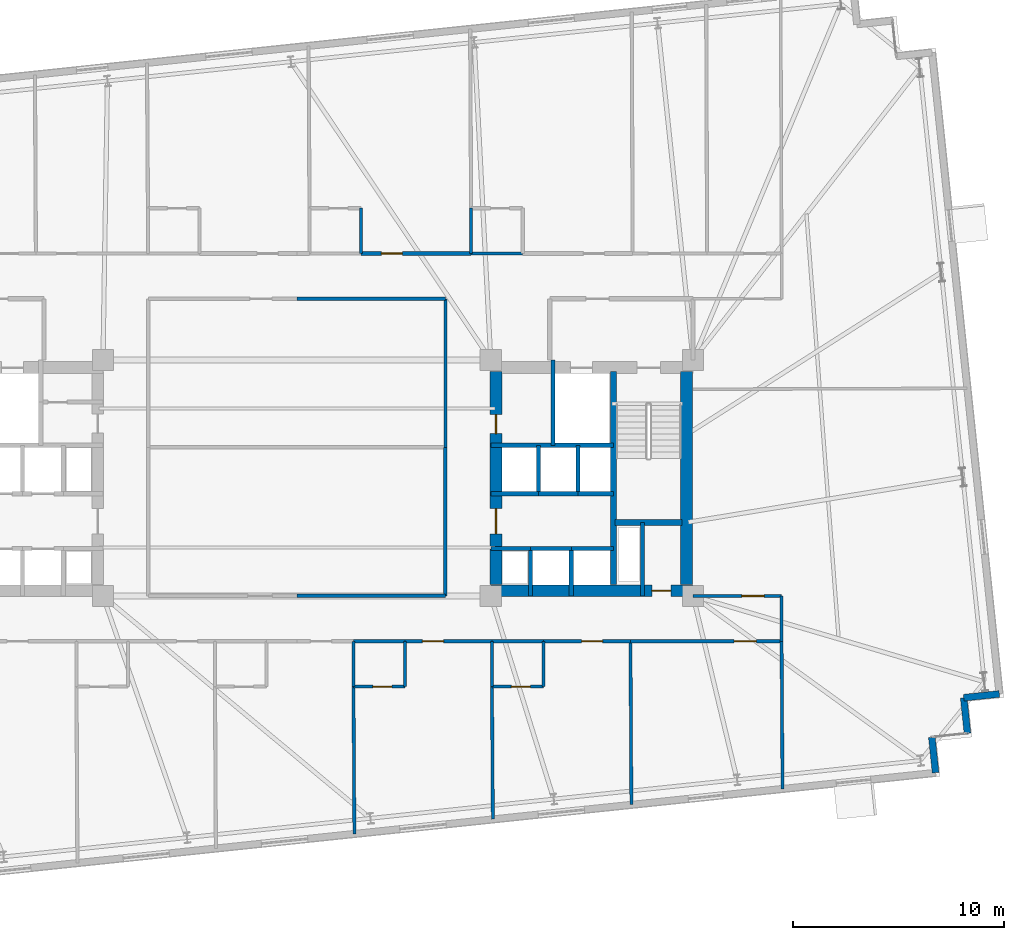
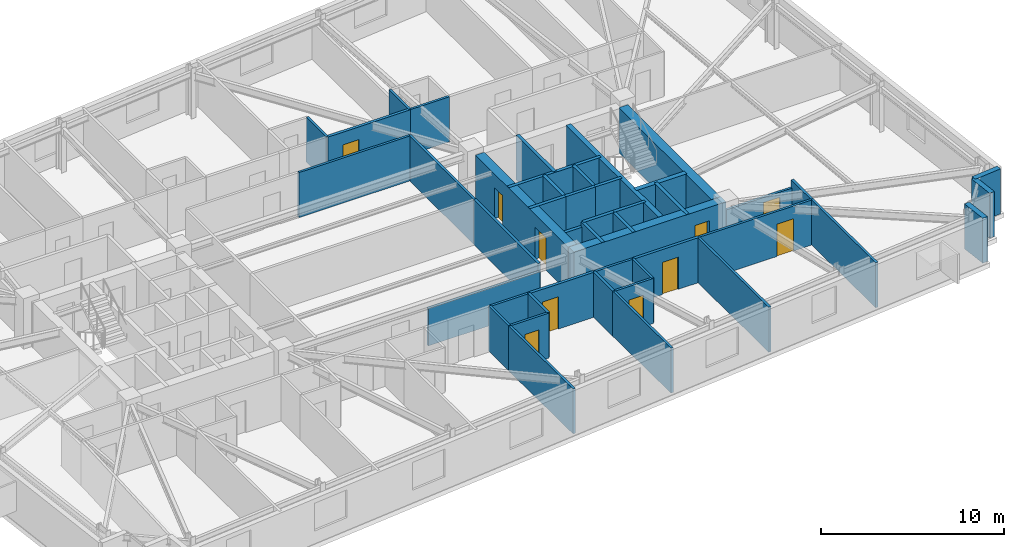
# One storey, part 14 of 19: 46 walls, 10 doors, 10 openings.
"""IFC4 building model written with IfcOpenShell, lengths in metres."""

from ifc_helpers import new_model, si_unit, direction, frame, frame_2d, origin, place, context, subcontext, project, spatial, rectangle, extrude, material, layer, layer_set, type_object, element, fill, save


model = new_model("IFC4")

# Units and contexts
model_context = context("Model", 3, precision=1e-05, world=origin(), true_north=direction((0.0, 1.0)))
body_context = subcontext(model_context, "Body", "Model", "MODEL_VIEW")
ifc_project = project(units=[si_unit("LENGTHUNIT", "METRE"), si_unit("AREAUNIT", "SQUARE_METRE"), si_unit("VOLUMEUNIT", "CUBIC_METRE"), si_unit("PLANEANGLEUNIT", "RADIAN"), si_unit("MASSUNIT", "GRAM", prefix="KILO")], contexts=[model_context])

# Site, building, storey
site_placement = place(None, origin())
site = spatial("IfcSite", under=ifc_project, at=site_placement, CompositionType="ELEMENT")
building_placement = place(site_placement, origin())
building = spatial("IfcBuilding", under=site, at=building_placement, Name="Qobustan Lattice House", CompositionType="ELEMENT")
storey_placement = place(building_placement, frame((0.0, 0.0, 122.550048828125)))
storey = spatial("IfcBuildingStorey", under=building, at=storey_placement, Name="L34", CompositionType="ELEMENT", Elevation=122.550048828125)

# Wall, opening, door
ifc_material_1 = material(Name="Concrete C60/75", Category="concrete")
ifc_layer_1 = layer(ifc_material_1, 0.56005859375)
ifc_layer_set_1 = layer_set([ifc_layer_1], Name="Concrete C60/75")
wall_type_1 = type_object("IfcWallType", Name="WAL-CORE-600", PredefinedType="SHEAR", material=ifc_layer_set_1)
wall_1_placement = place(storey_placement, frame((9.199951171875, -5.35009765625, 0.0), z_axis=(0.0, 0.0, 1.0), x_axis=(1.0, 0.0, 0.0)))
wall_1 = element("IfcWall", 1, at=wall_1_placement, inside=storey, type_object=wall_type_1, Name="L34 split-core shear wall CE-S", PredefinedType="SHEAR", context=body_context, shape_type="SweptSolid", body=[
    extrude(rectangle(XDim=9.60009765625, YDim=0.56005859375, at=frame_2d((4.800048828125, 0.0))), origin(), (0.0, 0.0, 1.0), 3.0),
])
opening_1_placement = place(wall_1_placement, frame((7.64990234375, 0.0, 0.0)))
opening_1 = element("IfcOpeningElement", 2, at=opening_1_placement, cuts=wall_1, Name="Opening RD-01", PredefinedType="OPENING", context=body_context, shape_type="SweptSolid", body=[
    extrude(rectangle(XDim=0.89990234375, YDim=2.10009765625, at=frame_2d((0.449951171875, 1.050048828125))), frame((0.0, 0.2900390625, 0.0), z_axis=(0.0, -1.0, 0.0), x_axis=(1.0, 0.0, 0.0)), (0.0, 0.0, 1.0), 0.580078125),
])
ifc_material_2 = material(Name="Persian walnut timber and steel frame door", Category="steel")
door_type_1 = type_object("IfcDoorType", Name="DOR-RISER-FD-900x2100", OperationType="NOTDEFINED", PredefinedType="DOOR", material=ifc_material_2)
door_1_placement = place(opening_1_placement, origin())
door_1 = element("IfcDoor", 3, at=door_1_placement, inside=storey, type_object=door_type_1, Name="L34 core service riser access door E", OperationType="SINGLE_SWING_LEFT", OverallHeight=2.10009765625, OverallWidth=0.89990234375, PredefinedType="DOOR", context=body_context, shape_type="SweptSolid", body=[
    extrude(rectangle(XDim=0.89990234375, YDim=2.10009765625, at=frame_2d((0.449951171875, 1.050048828125))), frame((0.0, 0.02490234375, 0.0), z_axis=(0.0, -1.0, 0.0), x_axis=(1.0, 0.0, 0.0)), (0.0, 0.0, 1.0), 0.050048828125),
])
fill(opening_1, door_1)

# Wall, openings, doors
wall_2_placement = place(storey_placement, frame((9.449951171875, -5.050048828125, 0.0), z_axis=(0.0, 0.0, 1.0), x_axis=(0.0, 1.0, 0.0)))
wall_2 = element("IfcWall", 4, at=wall_2_placement, inside=storey, type_object=wall_type_1, Name="L34 split-core shear wall CE-W", PredefinedType="SHEAR", context=body_context, shape_type="SweptSolid", body=[
    extrude(rectangle(XDim=10.10009765625, YDim=0.56005859375, at=frame_2d((5.050048828125, 0.0))), origin(), (0.0, 0.0, 1.0), 3.0),
])
opening_2_placement = place(wall_2_placement, frame((7.14990234375, 0.0, 0.0)))
opening_2 = element("IfcOpeningElement", 5, at=opening_2_placement, cuts=wall_2, Name="Opening RD-01", PredefinedType="OPENING", context=body_context, shape_type="SweptSolid", body=[
    extrude(rectangle(XDim=0.89990234375, YDim=2.10009765625, at=frame_2d((0.449951171875, 1.050048828125))), frame((0.0, 0.2900390625, 0.0), z_axis=(0.0, -1.0, 0.0), x_axis=(1.0, 0.0, 0.0)), (0.0, 0.0, 1.0), 0.580078125),
])
opening_3_placement = place(wall_2_placement, frame((2.39990234375, 0.0, 0.0)))
opening_3 = element("IfcOpeningElement", 6, at=opening_3_placement, cuts=wall_2, Name="Opening FD-01", PredefinedType="OPENING", context=body_context, shape_type="SweptSolid", body=[
    extrude(rectangle(XDim=1.199951171875, YDim=2.14990234375, at=frame_2d((0.60009765625, 1.074951171875))), frame((0.0, 0.2900390625, 0.0), z_axis=(0.0, -1.0, 0.0), x_axis=(1.0, 0.0, 0.0)), (0.0, 0.0, 1.0), 0.580078125),
])
ifc_material_3 = material(Name="Persian walnut timber and steel frame door", Category="steel")
door_type_2 = type_object("IfcDoorType", Name="DOR-LOBBY-FD-1200x2150", OperationType="NOTDEFINED", PredefinedType="DOOR", material=ifc_material_3)
door_2_placement = place(opening_3_placement, origin())
door_2 = element("IfcDoor", 7, at=door_2_placement, inside=storey, type_object=door_type_2, Name="L34 East passenger lift lobby fire door", OperationType="SINGLE_SWING_RIGHT", OverallHeight=2.14990234375, OverallWidth=1.199951171875, PredefinedType="DOOR", context=body_context, shape_type="SweptSolid", body=[
    extrude(rectangle(XDim=1.199951171875, YDim=2.14990234375, at=frame_2d((0.60009765625, 1.074951171875))), frame((0.0, 0.02490234375, 0.0), z_axis=(0.0, -1.0, 0.0), x_axis=(1.0, 0.0, 0.0)), (0.0, 0.0, 1.0), 0.050048828125),
])
fill(opening_3, door_2)
door_3_placement = place(opening_2_placement, origin())
door_3 = element("IfcDoor", 8, at=door_3_placement, inside=storey, type_object=door_type_1, Name="L34 Housekeeping linen store fire door", OperationType="SINGLE_SWING_LEFT", OverallHeight=2.10009765625, OverallWidth=0.89990234375, PredefinedType="DOOR", context=body_context, shape_type="SweptSolid", body=[
    extrude(rectangle(XDim=0.89990234375, YDim=2.10009765625, at=frame_2d((0.449951171875, 1.050048828125))), frame((0.0, 0.02490234375, 0.0), z_axis=(0.0, -1.0, 0.0), x_axis=(1.0, 0.0, 0.0)), (0.0, 0.0, 1.0), 0.050048828125),
])
fill(opening_2, door_3)

# Walls
wall_3_placement = place(storey_placement, frame((18.489990234375, -5.050048828125, 0.0), z_axis=(0.0, 0.0, 1.0), x_axis=(0.0, 1.0, 0.0)))
element("IfcWall", 9, at=wall_3_placement, inside=storey, type_object=wall_type_1, Name="L34 split-core shear wall CE-E", PredefinedType="SHEAR", context=body_context, shape_type="SweptSolid", body=[
    extrude(rectangle(XDim=10.10009765625, YDim=0.56005859375, at=frame_2d((5.050048828125, 0.0))), origin(), (0.0, 0.0, 1.0), 3.0),
])
ifc_material_4 = material(Name="Concrete C50/60", Category="concrete")
ifc_layer_2 = layer(ifc_material_4, 0.280029296875)
ifc_layer_set_2 = layer_set([ifc_layer_2], Name="Concrete C50/60")
wall_type_2 = type_object("IfcWallType", Name="WAL-CORE-SPINE-280", PredefinedType="SHEAR", material=ifc_layer_set_2)
wall_4_placement = place(storey_placement, frame((15.02001953125, -5.050048828125, 0.0), z_axis=(0.0, 0.0, 1.0), x_axis=(0.0, 1.0, 0.0)))
element("IfcWall", 10, at=wall_4_placement, inside=storey, type_object=wall_type_2, Name="L34 split-core shear wall CE-M", PredefinedType="SHEAR", context=body_context, shape_type="SweptSolid", body=[
    extrude(rectangle(XDim=10.10009765625, YDim=0.300048828125, at=frame_2d((5.050048828125, 0.0))), origin(), (0.0, 0.0, 1.0), 3.0),
])
wall_5_placement = place(storey_placement, frame((15.10009765625, -2.110107421875, 0.0), z_axis=(0.0, 0.0, 1.0), x_axis=(1.0, 0.0, 0.0)))
element("IfcWall", 11, at=wall_5_placement, inside=storey, type_object=wall_type_2, Name="L34 split-core shear wall CE-ST", PredefinedType="SHEAR", context=body_context, shape_type="SweptSolid", body=[
    extrude(rectangle(XDim=3.179931640625, YDim=0.300048828125, at=frame_2d((1.58984375, 0.0))), origin(), (0.0, 0.0, 1.0), 3.0),
])
ifc_material_5 = material(Name="Precast concrete C40/50", Category="concrete")
ifc_layer_3 = layer(ifc_material_5, 0.320068359375)
ifc_layer_set_3 = layer_set([ifc_layer_3], Name="Precast concrete C40/50")
wall_type_3 = type_object("IfcWallType", Name="WAL-EXT-STONE-320", PredefinedType="SOLIDWALL", material=ifc_layer_set_3)
for number, where, z_axis, x_axis, name in (
    (12, (33.333251953125, -10.2490234375, 0.0), (0.0, 0.0, 1.0), (-0.994519608382, -0.104550220202, 0.0), "L34 exterior limestone-clad wall 16"),
    (13, (31.642578125, -10.4267578125, 0.0), (0.0, 0.0, 1.0), (0.104550220202, -0.994519608382, 0.0), "L34 exterior limestone-clad wall 17"),
):
    element("IfcWall", number, at=place(storey_placement, frame(where, z_axis=z_axis, x_axis=x_axis)), inside=storey, type_object=wall_type_3, Name=name, PredefinedType="SOLIDWALL", context=body_context, shape_type="SweptSolid", body=[
        extrude(rectangle(XDim=1.699951171875, YDim=0.320068359375, at=frame_2d((0.85009765625, 0.0))), origin(), (0.0, 0.0, 1.0), 3.0),
    ])
wall_6_placement = place(storey_placement, frame((30.129638671875, -12.295166015625, 0.0), z_axis=(0.0, 0.0, 1.0), x_axis=(0.104565154801, -0.994518038248, 0.0)))
element("IfcWall", 14, at=wall_6_placement, inside=storey, type_object=wall_type_3, Name="L34 exterior limestone-clad wall 19", PredefinedType="SOLIDWALL", context=body_context, shape_type="SweptSolid", body=[
    extrude(rectangle(XDim=1.69970703125, YDim=0.320068359375, at=frame_2d((0.849853515625, 0.0))), origin(), (0.0, 0.0, 1.0), 3.0),
])

# Wall, opening, door
ifc_material_6 = material(Name="Gypsum fireboard acoustic partition", Category="gypsum")
ifc_layer_4 = layer(ifc_material_6, 0.179931640625)
ifc_layer_set_4 = layer_set([ifc_layer_4], Name="Gypsum fireboard acoustic partition")
wall_type_4 = type_object("IfcWallType", Name="WAL-FIRE-180", PredefinedType="PARTITIONING", material=ifc_layer_set_4)
wall_7_placement = place(storey_placement, frame((3.050048828125, 10.64990234375, 0.0), z_axis=(0.0, 0.0, 1.0), x_axis=(1.0, 0.0, 0.0)))
wall_7 = element("IfcWall", 15, at=wall_7_placement, inside=storey, type_object=wall_type_4, Name="L34 interior partition 48", PredefinedType="PARTITIONING", context=body_context, shape_type="SweptSolid", body=[
    extrude(rectangle(XDim=5.217041015625, YDim=0.179931640625, at=frame_2d((2.6083984375, 0.0))), origin(), (0.0, 0.0, 1.0), 3.0),
])
opening_4_placement = place(wall_7_placement, frame((0.962158203125, 0.0, 0.0)))
opening_4 = element("IfcOpeningElement", 16, at=opening_4_placement, cuts=wall_7, Name="Opening FD-02", PredefinedType="OPENING", context=body_context, shape_type="SweptSolid", body=[
    extrude(rectangle(XDim=1.0, YDim=2.14990234375, at=frame_2d((0.5, 1.074951171875))), frame((0.0, 0.099853515625, 0.0), z_axis=(0.0, -1.0, 0.0), x_axis=(1.0, 0.0, 0.0)), (0.0, 0.0, 1.0), 0.199951171875),
])
ifc_material_7 = material(Name="Persian walnut timber and steel frame door", Category="steel")
door_type_3 = type_object("IfcDoorType", Name="DOR-UNIT-FD-1000x2150", OperationType="NOTDEFINED", PredefinedType="DOOR", material=ifc_material_7)
door_4_placement = place(opening_4_placement, origin())
door_4 = element("IfcDoor", 17, at=door_4_placement, inside=storey, type_object=door_type_3, Name="L34 North-east floor corridor to Kitchenette and studio apartment L34-N4 door", OperationType="SINGLE_SWING_RIGHT", OverallHeight=2.14990234375, OverallWidth=1.0, PredefinedType="DOOR", context=body_context, shape_type="SweptSolid", body=[
    extrude(rectangle(XDim=1.0, YDim=2.14990234375, at=frame_2d((0.5, 1.074951171875))), frame((0.0, 0.02490234375, 0.0), z_axis=(0.0, -1.0, 0.0), x_axis=(1.0, 0.0, 0.0)), (0.0, 0.0, 1.0), 0.050048828125),
])
fill(opening_4, door_4)

wall_8_placement = place(storey_placement, frame((9.257080078125, -7.75, 0.0), z_axis=(0.0, 0.0, 1.0), x_axis=(-1.0, 0.0, 0.0)))
wall_8 = element("IfcWall", 18, at=wall_8_placement, inside=storey, type_object=wall_type_4, Name="L34 interior partition 68", PredefinedType="PARTITIONING", context=body_context, shape_type="SweptSolid", body=[
    extrude(rectangle(XDim=4.12109375, YDim=0.179931640625, at=frame_2d((2.060546875, 0.0))), origin(), (0.0, 0.0, 1.0), 3.0),
])
opening_5_placement = place(wall_8_placement, frame((2.2958984375, 0.0, 0.0)))
opening_5 = element("IfcOpeningElement", 19, at=opening_5_placement, cuts=wall_8, Name="Opening FD-02", PredefinedType="OPENING", context=body_context, shape_type="SweptSolid", body=[
    extrude(rectangle(XDim=1.0, YDim=2.14990234375, at=frame_2d((0.5, 1.074951171875))), frame((0.0, 0.099853515625, 0.0), z_axis=(0.0, -1.0, 0.0), x_axis=(1.0, 0.0, 0.0)), (0.0, 0.0, 1.0), 0.199951171875),
])
door_5_placement = place(opening_5_placement, origin())
door_5 = element("IfcDoor", 20, at=door_5_placement, inside=storey, type_object=door_type_3, Name="L34 South-east floor corridor to Kitchenette and studio apartment L34-S5 door", OperationType="SINGLE_SWING_LEFT", OverallHeight=2.14990234375, OverallWidth=1.0, PredefinedType="DOOR", context=body_context, shape_type="SweptSolid", body=[
    extrude(rectangle(XDim=1.0, YDim=2.14990234375, at=frame_2d((0.5, 1.074951171875))), frame((0.0, 0.02490234375, 0.0), z_axis=(0.0, -1.0, 0.0), x_axis=(1.0, 0.0, 0.0)), (0.0, 0.0, 1.0), 0.050048828125),
])
fill(opening_5, door_5)

wall_9_placement = place(storey_placement, frame((15.8291015625, -7.75, 0.0), z_axis=(0.0, 0.0, 1.0), x_axis=(-1.0, 0.0, 0.0)))
wall_9 = element("IfcWall", 21, at=wall_9_placement, inside=storey, type_object=wall_type_4, Name="L34 interior partition 70", PredefinedType="PARTITIONING", context=body_context, shape_type="SweptSolid", body=[
    extrude(rectangle(XDim=4.1220703125, YDim=0.179931640625, at=frame_2d((2.06103515625, 0.0))), origin(), (0.0, 0.0, 1.0), 3.0),
])
opening_6_placement = place(wall_9_placement, frame((1.315673828125, 0.0, 0.0)))
opening_6 = element("IfcOpeningElement", 22, at=opening_6_placement, cuts=wall_9, Name="Opening FD-02", PredefinedType="OPENING", context=body_context, shape_type="SweptSolid", body=[
    extrude(rectangle(XDim=1.0, YDim=2.14990234375, at=frame_2d((0.5, 1.074951171875))), frame((0.0, 0.099853515625, 0.0), z_axis=(0.0, -1.0, 0.0), x_axis=(1.0, 0.0, 0.0)), (0.0, 0.0, 1.0), 0.199951171875),
])
door_6_placement = place(opening_6_placement, origin())
door_6 = element("IfcDoor", 23, at=door_6_placement, inside=storey, type_object=door_type_3, Name="L34 South-east floor corridor to Kitchenette and studio apartment L34-S6 door", OperationType="SINGLE_SWING_RIGHT", OverallHeight=2.14990234375, OverallWidth=1.0, PredefinedType="DOOR", context=body_context, shape_type="SweptSolid", body=[
    extrude(rectangle(XDim=1.0, YDim=2.14990234375, at=frame_2d((0.5, 1.074951171875))), frame((0.0, 0.02490234375, 0.0), z_axis=(0.0, -1.0, 0.0), x_axis=(1.0, 0.0, 0.0)), (0.0, 0.0, 1.0), 0.050048828125),
])
fill(opening_6, door_6)

# Wall
ifc_material_8 = material(Name="Acoustic twin-stud gypsum partition", Category="gypsum")
ifc_layer_5 = layer(ifc_material_8, 0.14990234375)
ifc_layer_set_5 = layer_set([ifc_layer_5], Name="Acoustic twin-stud gypsum partition")
wall_type_5 = type_object("IfcWallType", Name="WAL-PART-150", PredefinedType="PARTITIONING", material=ifc_layer_set_5)
wall_10_placement = place(storey_placement, frame((7.050048828125, 8.5, 0.0), z_axis=(0.0, 0.0, 1.0), x_axis=(-1.0, 0.0, 0.0)))
element("IfcWall", 24, at=wall_10_placement, inside=storey, type_object=wall_type_5, Name="L34 interior partition 54", PredefinedType="PARTITIONING", context=body_context, shape_type="SweptSolid", body=[
    extrude(rectangle(XDim=7.050048828125, YDim=0.14990234375, at=frame_2d((3.52490234375, 0.0))), origin(), (0.0, 0.0, 1.0), 3.0),
])

# Wall, opening, door
wall_11_placement = place(storey_placement, frame((18.800048828125, -5.60009765625, 0.0), z_axis=(0.0, 0.0, 1.0), x_axis=(1.0, 0.0, 0.0)))
wall_11 = element("IfcWall", 25, at=wall_11_placement, inside=storey, type_object=wall_type_5, Name="L34 interior partition 65", PredefinedType="PARTITIONING", context=body_context, shape_type="SweptSolid", body=[
    extrude(rectangle(XDim=4.199951171875, YDim=0.14990234375, at=frame_2d((2.10009765625, 0.0))), origin(), (0.0, 0.0, 1.0), 2.48486328125),
])
opening_7_placement = place(wall_11_placement, frame((2.3212890625, 0.0, 0.0)))
opening_7 = element("IfcOpeningElement", 26, at=opening_7_placement, cuts=wall_11, Name="Opening ID-02", PredefinedType="OPENING", context=body_context, shape_type="SweptSolid", body=[
    extrude(rectangle(XDim=1.050048828125, YDim=2.14990234375, at=frame_2d((0.52490234375, 1.074951171875))), frame((0.0, 0.0849609375, 0.0), z_axis=(0.0, -1.0, 0.0), x_axis=(1.0, 0.0, 0.0)), (0.0, 0.0, 1.0), 0.169921875),
])
ifc_material_9 = material(Name="Persian walnut timber and steel frame door", Category="steel")
door_type_4 = type_object("IfcDoorType", Name="DOR-STUDY-1050x2150", OperationType="NOTDEFINED", PredefinedType="DOOR", material=ifc_material_9)
door_7_placement = place(opening_7_placement, origin())
door_7 = element("IfcDoor", 27, at=door_7_placement, inside=storey, type_object=door_type_4, Name="L34 South-east floor corridor to Academic seminar room door", OperationType="SINGLE_SWING_LEFT", OverallHeight=2.14990234375, OverallWidth=1.050048828125, PredefinedType="DOOR", context=body_context, shape_type="SweptSolid", body=[
    extrude(rectangle(XDim=1.050048828125, YDim=2.14990234375, at=frame_2d((0.52490234375, 1.074951171875))), frame((0.0, 0.02490234375, 0.0), z_axis=(0.0, -1.0, 0.0), x_axis=(1.0, 0.0, 0.0)), (0.0, 0.0, 1.0), 0.050048828125),
])
fill(opening_7, door_7)

# Wall
wall_12_placement = place(storey_placement, frame((23.0, -5.60009765625, 0.0), z_axis=(0.0, 0.0, 1.0), x_axis=(0.0, -1.0, 0.0)))
element("IfcWall", 28, at=wall_12_placement, inside=storey, type_object=wall_type_5, Name="L34 interior partition 66", PredefinedType="PARTITIONING", context=body_context, shape_type="SweptSolid", body=[
    extrude(rectangle(XDim=2.14990234375, YDim=0.14990234375, at=frame_2d((1.074951171875, 0.0))), origin(), (0.0, 0.0, 1.0), 3.0),
])

# Wall, opening, door
wall_13_placement = place(storey_placement, frame((23.0, -7.75, 0.0), z_axis=(0.0, 0.0, 1.0), x_axis=(-1.0, 0.0, 0.0)))
wall_13 = element("IfcWall", 29, at=wall_13_placement, inside=storey, type_object=wall_type_5, Name="L34 interior partition 72", PredefinedType="PARTITIONING", context=body_context, shape_type="SweptSolid", body=[
    extrude(rectangle(XDim=7.1708984375, YDim=0.14990234375, at=frame_2d((3.58544921875, 0.0))), origin(), (0.0, 0.0, 1.0), 3.0),
])
opening_8_placement = place(wall_13_placement, frame((1.2001953125, 0.0, 0.0)))
opening_8 = element("IfcOpeningElement", 30, at=opening_8_placement, cuts=wall_13, Name="Opening ID-02", PredefinedType="OPENING", context=body_context, shape_type="SweptSolid", body=[
    extrude(rectangle(XDim=1.050048828125, YDim=2.14990234375, at=frame_2d((0.52490234375, 1.074951171875))), frame((0.0, 0.0849609375, 0.0), z_axis=(0.0, -1.0, 0.0), x_axis=(1.0, 0.0, 0.0)), (0.0, 0.0, 1.0), 0.169921875),
])
door_8_placement = place(opening_8_placement, origin())
door_8 = element("IfcDoor", 31, at=door_8_placement, inside=storey, type_object=door_type_4, Name="L34 South-east floor corridor to Group study room door", OperationType="SINGLE_SWING_LEFT", OverallHeight=2.14990234375, OverallWidth=1.050048828125, PredefinedType="DOOR", context=body_context, shape_type="SweptSolid", body=[
    extrude(rectangle(XDim=1.050048828125, YDim=2.14990234375, at=frame_2d((0.52490234375, 1.074951171875))), frame((0.0, 0.02490234375, 0.0), z_axis=(0.0, -1.0, 0.0), x_axis=(1.0, 0.0, 0.0)), (0.0, 0.0, 1.0), 0.050048828125),
])
fill(opening_8, door_8)

# Walls
wall_14_placement = place(storey_placement, frame((7.050048828125, 1.449951171875, 0.0), z_axis=(0.0, 0.0, 1.0), x_axis=(0.0, 1.0, 0.0)))
element("IfcWall", 32, at=wall_14_placement, inside=storey, type_object=wall_type_5, Name="L34 interior partition 77", PredefinedType="PARTITIONING", context=body_context, shape_type="SweptSolid", body=[
    extrude(rectangle(XDim=7.050048828125, YDim=0.14990234375, at=frame_2d((3.52490234375, 0.0))), origin(), (0.0, 0.0, 1.0), 3.0),
])
wall_15_placement = place(storey_placement, frame((23.0439453125, -14.7490234375, 0.0), z_axis=(0.0, 0.0, 1.0), x_axis=(-0.006278653971, 0.999980289058, 0.0)))
element("IfcWall", 33, at=wall_15_placement, inside=storey, type_object=wall_type_5, Name="L34 interior partition 82", PredefinedType="PARTITIONING", context=body_context, shape_type="SweptSolid", body=[
    extrude(rectangle(XDim=6.999267578125, YDim=0.14990234375, at=frame_2d((3.49951171875, 0.0))), origin(), (0.0, 0.0, 1.0), 3.0),
])
wall_16_placement = place(storey_placement, frame((2.68603515625, -9.89990234375, 0.0), z_axis=(0.0, 0.0, 1.0), x_axis=(0.006291821768, -0.999980206294, 0.0)))
element("IfcWall", 34, at=wall_16_placement, inside=storey, type_object=wall_type_5, Name="L34 interior partition 112", PredefinedType="PARTITIONING", context=body_context, shape_type="SweptSolid", body=[
    extrude(rectangle(XDim=6.984619140625, YDim=0.14990234375, at=frame_2d((3.4921875, 0.0))), origin(), (0.0, 0.0, 1.0), 3.0),
])
wall_17_placement = place(storey_placement, frame((9.257080078125, -9.89990234375, 0.0), z_axis=(0.0, 0.0, 1.0), x_axis=(0.006943468909, -0.999975893829, 0.0)))
element("IfcWall", 35, at=wall_17_placement, inside=storey, type_object=wall_type_5, Name="L34 interior partition 116", PredefinedType="PARTITIONING", context=body_context, shape_type="SweptSolid", body=[
    extrude(rectangle(XDim=6.2939453125, YDim=0.14990234375, at=frame_2d((3.14697265625, 0.0))), origin(), (0.0, 0.0, 1.0), 3.0),
])
wall_18_placement = place(storey_placement, frame((15.8291015625, -7.75, 0.0), z_axis=(0.0, 0.0, 1.0), x_axis=(0.00563681802, -0.999984113015, 0.0)))
element("IfcWall", 36, at=wall_18_placement, inside=storey, type_object=wall_type_5, Name="L34 interior partition 120", PredefinedType="PARTITIONING", context=body_context, shape_type="SweptSolid", body=[
    extrude(rectangle(XDim=7.7529296875, YDim=0.14990234375, at=frame_2d((3.87646484375, 0.0))), origin(), (0.0, 0.0, 1.0), 3.0),
])
ifc_material_10 = material(Name="High-mass acoustic twin-stud partition", Category="gypsum")
ifc_layer_6 = layer(ifc_material_10, 0.1650390625)
ifc_layer_set_6 = layer_set([ifc_layer_6], Name="High-mass acoustic twin-stud partition")
wall_type_6 = type_object("IfcWallType", Name="WAL-PART-165", PredefinedType="PARTITIONING", material=ifc_layer_set_6)
wall_19_placement = place(storey_placement, frame((0.0, -5.60009765625, 0.0), z_axis=(0.0, 0.0, 1.0), x_axis=(1.0, 0.0, 0.0)))
element("IfcWall", 37, at=wall_19_placement, inside=storey, type_object=wall_type_6, Name="L34 interior partition 73", PredefinedType="PARTITIONING", context=body_context, shape_type="SweptSolid", body=[
    extrude(rectangle(XDim=7.050048828125, YDim=0.1650390625, at=frame_2d((3.52490234375, 0.0))), origin(), (0.0, 0.0, 1.0), 2.48486328125),
])
wall_20_placement = place(storey_placement, frame((7.050048828125, -5.60009765625, 0.0), z_axis=(0.0, 0.0, 1.0), x_axis=(0.0, 1.0, 0.0)))
element("IfcWall", 38, at=wall_20_placement, inside=storey, type_object=wall_type_6, Name="L34 interior partition 76", PredefinedType="PARTITIONING", context=body_context, shape_type="SweptSolid", body=[
    extrude(rectangle(XDim=7.050048828125, YDim=0.1650390625, at=frame_2d((3.52490234375, 0.0))), origin(), (0.0, 0.0, 1.0), 3.0),
])
ifc_material_11 = material(Name="Concrete C40/50", Category="concrete")
ifc_layer_7 = layer(ifc_material_11, 0.199951171875)
ifc_layer_set_7 = layer_set([ifc_layer_7], Name="Concrete C40/50")
wall_type_7 = type_object("IfcWallType", Name="WAL-SHAFT-200", PredefinedType="PARTITIONING", material=ifc_layer_set_7)
wall_21_placement = place(storey_placement, frame((16.39990234375, -2.110107421875, 0.0), z_axis=(0.0, 0.0, 1.0), x_axis=(0.0, -1.0, 0.0)))
element("IfcWall", 39, at=wall_21_placement, inside=storey, type_object=wall_type_7, Name="L34 interior partition 20", PredefinedType="PARTITIONING", context=body_context, shape_type="SweptSolid", body=[
    extrude(rectangle(XDim=3.489990234375, YDim=0.199951171875, at=frame_2d((1.7451171875, 0.0))), origin(), (0.0, 0.0, 1.0), 3.0),
])
wall_22_placement = place(storey_placement, frame((12.14990234375, 5.60009765625, 0.0), z_axis=(0.0, 0.0, 1.0), x_axis=(0.0, -1.0, 0.0)))
element("IfcWall", 40, at=wall_22_placement, inside=storey, type_object=wall_type_7, Name="L34 interior partition 21", PredefinedType="PARTITIONING", context=body_context, shape_type="SweptSolid", body=[
    extrude(rectangle(XDim=4.050048828125, YDim=0.199951171875, at=frame_2d((2.02490234375, 0.0))), origin(), (0.0, 0.0, 1.0), 3.0),
])
wall_23_placement = place(storey_placement, frame((9.199951171875, -3.35009765625, 0.0), z_axis=(0.0, 0.0, 1.0), x_axis=(1.0, 0.0, 0.0)))
element("IfcWall", 41, at=wall_23_placement, inside=storey, type_object=wall_type_7, Name="L34 interior partition 26", PredefinedType="PARTITIONING", context=body_context, shape_type="SweptSolid", body=[
    extrude(rectangle(XDim=1.880126953125, YDim=0.199951171875, at=frame_2d((0.93994140625, 0.0))), origin(), (0.0, 0.0, 1.0), 2.71484375),
])
wall_24_placement = place(storey_placement, frame((11.080078125, -3.35009765625, 0.0), z_axis=(0.0, 0.0, 1.0), x_axis=(1.0, 0.0, 0.0)))
element("IfcWall", 42, at=wall_24_placement, inside=storey, type_object=wall_type_7, Name="L34 interior partition 27", PredefinedType="PARTITIONING", context=body_context, shape_type="SweptSolid", body=[
    extrude(rectangle(XDim=1.93994140625, YDim=0.199951171875, at=frame_2d((0.969970703125, 0.0))), origin(), (0.0, 0.0, 1.0), 3.0),
])
wall_25_placement = place(storey_placement, frame((13.02001953125, -3.35009765625, 0.0), z_axis=(0.0, 0.0, 1.0), x_axis=(1.0, 0.0, 0.0)))
element("IfcWall", 43, at=wall_25_placement, inside=storey, type_object=wall_type_7, Name="L34 interior partition 28", PredefinedType="PARTITIONING", context=body_context, shape_type="SweptSolid", body=[
    extrude(rectangle(XDim=2.0, YDim=0.199951171875, at=frame_2d((1.0, 0.0))), origin(), (0.0, 0.0, 1.0), 3.0),
])
wall_26_placement = place(storey_placement, frame((11.4599609375, -0.75, 0.0), z_axis=(0.0, 0.0, 1.0), x_axis=(-1.0, 0.0, 0.0)))
element("IfcWall", 44, at=wall_26_placement, inside=storey, type_object=wall_type_7, Name="L34 interior partition 29", PredefinedType="PARTITIONING", context=body_context, shape_type="SweptSolid", body=[
    extrude(rectangle(XDim=2.260009765625, YDim=0.199951171875, at=frame_2d((1.1298828125, 0.0))), origin(), (0.0, 0.0, 1.0), 3.0),
])
wall_27_placement = place(storey_placement, frame((13.340087890625, -0.75, 0.0), z_axis=(0.0, 0.0, 1.0), x_axis=(-1.0, 0.0, 0.0)))
element("IfcWall", 45, at=wall_27_placement, inside=storey, type_object=wall_type_7, Name="L34 interior partition 30", PredefinedType="PARTITIONING", context=body_context, shape_type="SweptSolid", body=[
    extrude(rectangle(XDim=1.880126953125, YDim=0.199951171875, at=frame_2d((0.93994140625, 0.0))), origin(), (0.0, 0.0, 1.0), 3.0),
])
wall_28_placement = place(storey_placement, frame((15.02001953125, -0.75, 0.0), z_axis=(0.0, 0.0, 1.0), x_axis=(-1.0, 0.0, 0.0)))
element("IfcWall", 46, at=wall_28_placement, inside=storey, type_object=wall_type_7, Name="L34 interior partition 31", PredefinedType="PARTITIONING", context=body_context, shape_type="SweptSolid", body=[
    extrude(rectangle(XDim=1.679931640625, YDim=0.199951171875, at=frame_2d((0.83984375, 0.0))), origin(), (0.0, 0.0, 1.0), 3.0),
])
for number, where, z_axis, x_axis, name in (
    (47, (11.080078125, -5.60009765625, 0.0), (0.0, 0.0, 1.0), (0.0, 1.0, 0.0), "L34 interior partition 33"),
    (48, (13.02001953125, -5.60009765625, 0.0), (0.0, 0.0, 1.0), (0.0, 1.0, 0.0), "L34 interior partition 34"),
):
    element("IfcWall", number, at=place(storey_placement, frame(where, z_axis=z_axis, x_axis=x_axis)), inside=storey, type_object=wall_type_7, Name=name, PredefinedType="PARTITIONING", context=body_context, shape_type="SweptSolid", body=[
        extrude(rectangle(XDim=2.25, YDim=0.199951171875, at=frame_2d((1.125, 0.0))), origin(), (0.0, 0.0, 1.0), 3.0),
    ])
for number, where, z_axis, x_axis, name in (
    (49, (11.4599609375, -0.75, 0.0), (0.0, 0.0, 1.0), (0.0, 1.0, 0.0), "L34 interior partition 35"),
    (50, (13.340087890625, -0.75, 0.0), (0.0, 0.0, 1.0), (0.0, 1.0, 0.0), "L34 interior partition 36"),
):
    element("IfcWall", number, at=place(storey_placement, frame(where, z_axis=z_axis, x_axis=x_axis)), inside=storey, type_object=wall_type_7, Name=name, PredefinedType="PARTITIONING", context=body_context, shape_type="SweptSolid", body=[
        extrude(rectangle(XDim=2.300048828125, YDim=0.199951171875, at=frame_2d((1.14990234375, 0.0))), origin(), (0.0, 0.0, 1.0), 3.0),
    ])
wall_29_placement = place(storey_placement, frame((9.199951171875, 1.550048828125, 0.0), z_axis=(0.0, 0.0, 1.0), x_axis=(1.0, 0.0, 0.0)))
element("IfcWall", 51, at=wall_29_placement, inside=storey, type_object=wall_type_7, Name="L34 interior partition 123", PredefinedType="PARTITIONING", context=body_context, shape_type="SweptSolid", body=[
    extrude(rectangle(XDim=5.820068359375, YDim=0.199951171875, at=frame_2d((2.91015625, 0.0))), origin(), (0.0, 0.0, 1.0), 3.0),
])
ifc_material_12 = material(Name="Moisture-resistant acoustic plumbing wall", Category="gypsum")
ifc_layer_8 = layer(ifc_material_12, 0.14990234375)
ifc_layer_set_8 = layer_set([ifc_layer_8], Name="Moisture-resistant acoustic plumbing wall")
wall_type_8 = type_object("IfcWallType", Name="WAL-WET-150", PredefinedType="PLUMBINGWALL", material=ifc_layer_set_8)
for number, where, z_axis, x_axis, name in (
    (52, (8.26708984375, 10.64990234375, 0.0), (0.0, 0.0, 1.0), (1.0, 0.0, 0.0), "L34 interior partition 51"),
    (53, (5.135986328125, -7.75, 0.0), (0.0, 0.0, 1.0), (-1.0, 0.0, 0.0), "L34 interior partition 69"),
    (54, (11.70703125, -7.75, 0.0), (0.0, 0.0, 1.0), (-1.0, 0.0, 0.0), "L34 interior partition 71"),
):
    element("IfcWall", number, at=place(storey_placement, frame(where, z_axis=z_axis, x_axis=x_axis)), inside=storey, type_object=wall_type_8, Name=name, PredefinedType="PLUMBINGWALL", context=body_context, shape_type="SweptSolid", body=[
        extrude(rectangle(XDim=2.449951171875, YDim=0.14990234375, at=frame_2d((1.22509765625, 0.0))), origin(), (0.0, 0.0, 1.0), 3.0),
    ])
for number, where, z_axis, x_axis, name in (
    (55, (3.050048828125, 10.64990234375, 0.0), (0.0, 0.0, 1.0), (0.0, 1.0, 0.0), "L34 interior partition 93"),
    (56, (8.26708984375, 12.800048828125, 0.0), (0.0, 0.0, 1.0), (0.0, -1.0, 0.0), "L34 interior partition 95"),
):
    element("IfcWall", number, at=place(storey_placement, frame(where, z_axis=z_axis, x_axis=x_axis)), inside=storey, type_object=wall_type_8, Name=name, PredefinedType="PLUMBINGWALL", context=body_context, shape_type="SweptSolid", body=[
        extrude(rectangle(XDim=2.150146484375, YDim=0.14990234375, at=frame_2d((1.0751953125, 0.0))), origin(), (0.0, 0.0, 1.0), 3.0),
    ])
wall_30_placement = place(storey_placement, frame((2.68603515625, -7.75, 0.0), z_axis=(0.0, 0.0, 1.0), x_axis=(0.0, -1.0, 0.0)))
element("IfcWall", 57, at=wall_30_placement, inside=storey, type_object=wall_type_8, Name="L34 interior partition 113", PredefinedType="PLUMBINGWALL", context=body_context, shape_type="SweptSolid", body=[
    extrude(rectangle(XDim=2.14990234375, YDim=0.14990234375, at=frame_2d((1.074951171875, 0.0))), origin(), (0.0, 0.0, 1.0), 3.0),
])

# Wall, opening, door
wall_31_placement = place(storey_placement, frame((2.68603515625, -9.89990234375, 0.0), z_axis=(0.0, 0.0, 1.0), x_axis=(1.0, 0.0, 0.0)))
wall_31 = element("IfcWall", 58, at=wall_31_placement, inside=storey, type_object=wall_type_8, Name="L34 interior partition 114", PredefinedType="PLUMBINGWALL", context=body_context, shape_type="SweptSolid", body=[
    extrude(rectangle(XDim=2.449951171875, YDim=0.14990234375, at=frame_2d((1.22509765625, 0.0))), origin(), (0.0, 0.0, 1.0), 3.0),
])
opening_9_placement = place(wall_31_placement, frame((0.92138671875, 0.0, 0.0)))
opening_9 = element("IfcOpeningElement", 59, at=opening_9_placement, cuts=wall_31, Name="Opening WD-01", PredefinedType="OPENING", context=body_context, shape_type="SweptSolid", body=[
    extrude(rectangle(XDim=0.89990234375, YDim=2.10009765625, at=frame_2d((0.449951171875, 1.050048828125))), frame((0.0, 0.0849609375, 0.0), z_axis=(0.0, -1.0, 0.0), x_axis=(1.0, 0.0, 0.0)), (0.0, 0.0, 1.0), 0.169921875),
])
ifc_material_13 = material(Name="Persian walnut timber and steel frame door", Category="steel")
door_type_5 = type_object("IfcDoorType", Name="DOR-WET-900x2100", OperationType="NOTDEFINED", PredefinedType="DOOR", material=ifc_material_13)
door_9_placement = place(opening_9_placement, origin())
door_9 = element("IfcDoor", 60, at=door_9_placement, inside=storey, type_object=door_type_5, Name="L34 Kitchenette and studio apartment L34-S5 to En-suite bathroom L34-S5 door", OperationType="SINGLE_SWING_RIGHT", OverallHeight=2.10009765625, OverallWidth=0.89990234375, PredefinedType="DOOR", context=body_context, shape_type="SweptSolid", body=[
    extrude(rectangle(XDim=0.89990234375, YDim=2.10009765625, at=frame_2d((0.449951171875, 1.050048828125))), frame((0.0, 0.02490234375, 0.0), z_axis=(0.0, -1.0, 0.0), x_axis=(1.0, 0.0, 0.0)), (0.0, 0.0, 1.0), 0.050048828125),
])
fill(opening_9, door_9)

# Walls
for number, where, z_axis, x_axis, name in (
    (61, (5.135986328125, -9.89990234375, 0.0), (0.0, 0.0, 1.0), (0.0, 1.0, 0.0), "L34 interior partition 115"),
    (62, (9.257080078125, -7.75, 0.0), (0.0, 0.0, 1.0), (0.0, -1.0, 0.0), "L34 interior partition 117"),
):
    element("IfcWall", number, at=place(storey_placement, frame(where, z_axis=z_axis, x_axis=x_axis)), inside=storey, type_object=wall_type_8, Name=name, PredefinedType="PLUMBINGWALL", context=body_context, shape_type="SweptSolid", body=[
        extrude(rectangle(XDim=2.14990234375, YDim=0.14990234375, at=frame_2d((1.074951171875, 0.0))), origin(), (0.0, 0.0, 1.0), 3.0),
    ])

# Wall, opening, door
wall_32_placement = place(storey_placement, frame((9.257080078125, -9.89990234375, 0.0), z_axis=(0.0, 0.0, 1.0), x_axis=(1.0, 0.0, 0.0)))
wall_32 = element("IfcWall", 63, at=wall_32_placement, inside=storey, type_object=wall_type_8, Name="L34 interior partition 118", PredefinedType="PLUMBINGWALL", context=body_context, shape_type="SweptSolid", body=[
    extrude(rectangle(XDim=2.449951171875, YDim=0.14990234375, at=frame_2d((1.22509765625, 0.0))), origin(), (0.0, 0.0, 1.0), 3.0),
])
opening_10_placement = place(wall_32_placement, frame((0.92138671875, 0.0, 0.0)))
opening_10 = element("IfcOpeningElement", 64, at=opening_10_placement, cuts=wall_32, Name="Opening WD-01", PredefinedType="OPENING", context=body_context, shape_type="SweptSolid", body=[
    extrude(rectangle(XDim=0.89990234375, YDim=2.10009765625, at=frame_2d((0.449951171875, 1.050048828125))), frame((0.0, 0.0849609375, 0.0), z_axis=(0.0, -1.0, 0.0), x_axis=(1.0, 0.0, 0.0)), (0.0, 0.0, 1.0), 0.169921875),
])
door_10_placement = place(opening_10_placement, origin())
door_10 = element("IfcDoor", 65, at=door_10_placement, inside=storey, type_object=door_type_5, Name="L34 Kitchenette and studio apartment L34-S6 to En-suite bathroom L34-S6 door", OperationType="SINGLE_SWING_LEFT", OverallHeight=2.10009765625, OverallWidth=0.89990234375, PredefinedType="DOOR", context=body_context, shape_type="SweptSolid", body=[
    extrude(rectangle(XDim=0.89990234375, YDim=2.10009765625, at=frame_2d((0.449951171875, 1.050048828125))), frame((0.0, 0.02490234375, 0.0), z_axis=(0.0, -1.0, 0.0), x_axis=(1.0, 0.0, 0.0)), (0.0, 0.0, 1.0), 0.050048828125),
])
fill(opening_10, door_10)

# Wall
wall_33_placement = place(storey_placement, frame((11.70703125, -9.89990234375, 0.0), z_axis=(0.0, 0.0, 1.0), x_axis=(0.0, 1.0, 0.0)))
element("IfcWall", 66, at=wall_33_placement, inside=storey, type_object=wall_type_8, Name="L34 interior partition 119", PredefinedType="PLUMBINGWALL", context=body_context, shape_type="SweptSolid", body=[
    extrude(rectangle(XDim=2.14990234375, YDim=0.14990234375, at=frame_2d((1.074951171875, 0.0))), origin(), (0.0, 0.0, 1.0), 3.0),
])

save(model, "model.ifc")
